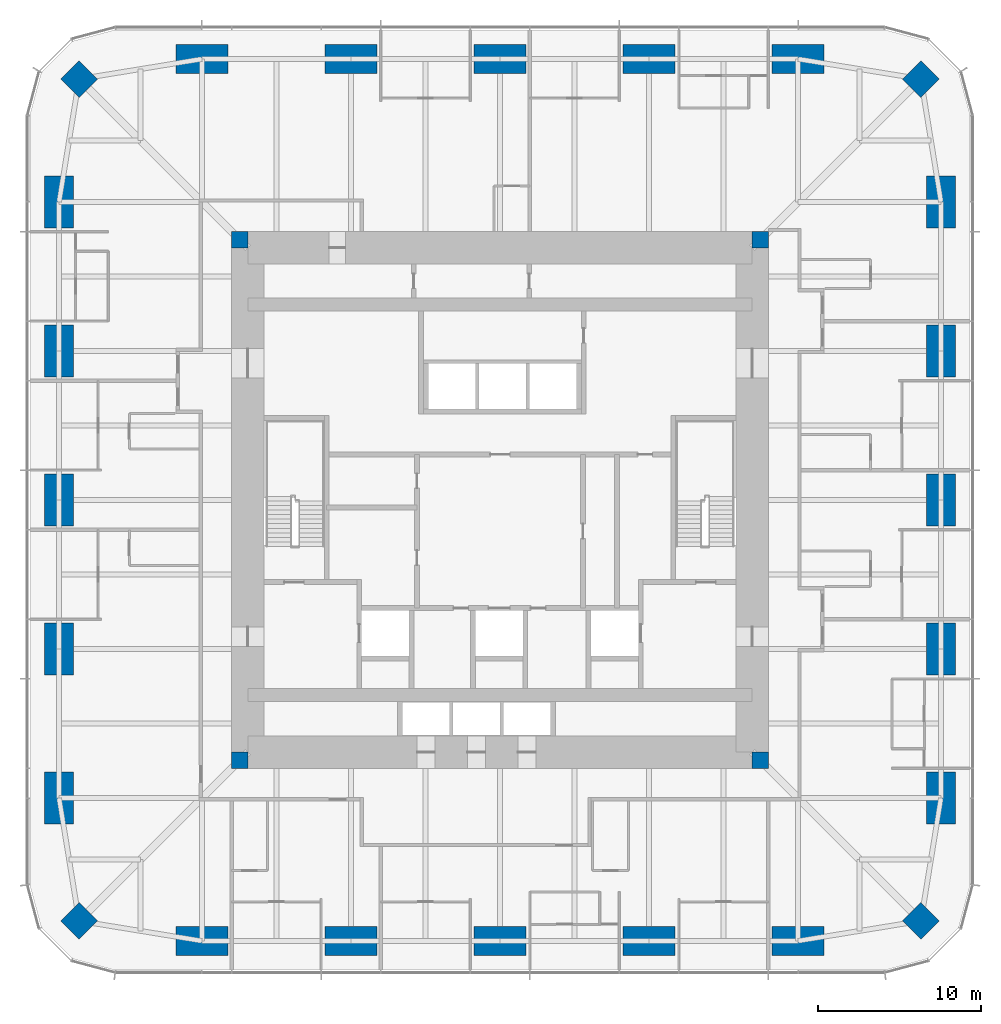
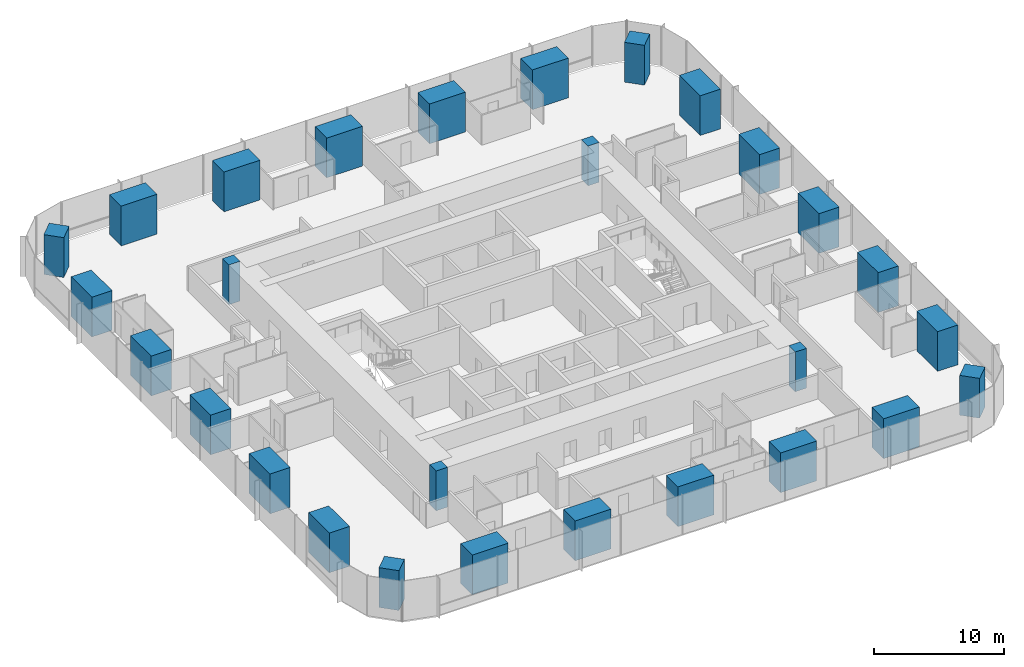
# One storey, part 1 of 13: 28 columns.
"""IFC4 building model written with IfcOpenShell, lengths in metres."""

from ifc_helpers import new_model, si_unit, direction, frame, origin, origin_2d, place, context, subcontext, project, spatial, rectangle, extrude, material, material_profile, profile_set, type_object, element, save


model = new_model("IFC4")

# Units and contexts
model_context = context("Model", 3, precision=1e-05, world=origin(), true_north=direction((0.0, 1.0)))
body_context = subcontext(model_context, "Body", "Model", "MODEL_VIEW")
ifc_project = project(units=[si_unit("LENGTHUNIT", "METRE"), si_unit("AREAUNIT", "SQUARE_METRE"), si_unit("VOLUMEUNIT", "CUBIC_METRE"), si_unit("PLANEANGLEUNIT", "RADIAN"), si_unit("MASSUNIT", "GRAM", prefix="KILO")], contexts=[model_context])

# Site, building, storey
site_placement = place(None, origin())
site = spatial("IfcSite", under=ifc_project, at=site_placement, CompositionType="ELEMENT")
building_placement = place(site_placement, origin())
building = spatial("IfcBuilding", under=site, at=building_placement, Name="Khuree Lantern Residences", CompositionType="ELEMENT")
storey_placement = place(building_placement, frame((0.0, 0.0, 133.5)))
storey = spatial("IfcBuildingStorey", under=building, at=storey_placement, Name="L33", CompositionType="ELEMENT", Elevation=133.5)

# Columns
ifc_material = material(Name="Concrete C70/85", Category="concrete")
ifc_material_profile_1 = material_profile(ifc_material, rectangle(XDim=1.60009765625, YDim=1.60009765625, at=origin_2d()), Name="RC 1600X1600")
ifc_profile_set_1 = profile_set([ifc_material_profile_1], Name="Concrete C70/85")
column_type_1 = type_object("IfcColumnType", Name="CC1600A PERIMETER CORNER COLUMN RC 1600X1600", PredefinedType="COLUMN", material=ifc_profile_set_1)
for number, where, z_axis, x_axis, name in (
    (1, (25.869873046875, 25.869873046875, 0.0), (0.0, 0.0, 1.0), (0.707106781187, -0.707106781187, 0.0), "Perimeter column NE"),
    (2, (25.869873046875, -25.869873046875, 0.0), (0.0, 0.0, 1.0), (0.707106781187, 0.707106781187, 0.0), "Perimeter column SE"),
    (3, (-25.869873046875, -25.869873046875, 0.0), (0.0, 0.0, 1.0), (0.707106781187, -0.707106781187, 0.0), "Perimeter column SW"),
    (4, (-25.869873046875, 25.869873046875, 0.0), (0.0, 0.0, 1.0), (0.707106781187, 0.707106781187, 0.0), "Perimeter column NW"),
):
    element("IfcColumn", number, at=place(storey_placement, frame(where, z_axis=z_axis, x_axis=x_axis)), inside=storey, type_object=column_type_1, Name=name, PredefinedType="COLUMN", context=body_context, shape_type="SweptSolid", body=[
        extrude(rectangle(XDim=1.60009765625, YDim=1.60009765625, at=origin_2d()), origin(), (0.0, 0.0, 1.0), 3.75),
    ])
ifc_material_profile_2 = material_profile(ifc_material, rectangle(XDim=1.0, YDim=1.0, at=origin_2d()), Name="RC 1000X1000")
ifc_profile_set_2 = profile_set([ifc_material_profile_2], Name="Concrete C70/85")
column_type_2 = type_object("IfcColumnType", Name="CP1000-C70 CORE CORNER PIER C70 RC 1000X1000", PredefinedType="COLUMN", material=ifc_profile_set_2)
for number, where, z_axis, x_axis, name in (
    (5, (16.0, 16.0, -0.25), (0.0, 0.0, 1.0), (1.0, 0.0, 0.0), "Core corner pier NE"),
    (6, (-16.0, 16.0, -0.25), (0.0, 0.0, 1.0), (1.0, 0.0, 0.0), "Core corner pier NW"),
    (7, (-16.0, -16.0, -0.25), (0.0, 0.0, 1.0), (1.0, 0.0, 0.0), "Core corner pier SW"),
    (8, (16.0, -16.0, -0.25), (0.0, 0.0, 1.0), (1.0, 0.0, 0.0), "Core corner pier SE"),
):
    element("IfcColumn", number, at=place(storey_placement, frame(where, z_axis=z_axis, x_axis=x_axis)), inside=storey, type_object=column_type_2, Name=name, PredefinedType="COLUMN", context=body_context, shape_type="SweptSolid", body=[
        extrude(rectangle(XDim=1.0, YDim=1.0, at=origin_2d()), origin(), (0.0, 0.0, 1.0), 3.75),
    ])
ifc_material_profile_3 = material_profile(ifc_material, rectangle(XDim=3.199951171875, YDim=1.800048828125, at=origin_2d()), Name="RC 3200X1800")
ifc_profile_set_3 = profile_set([ifc_material_profile_3], Name="Concrete C70/85")
column_type_3 = type_object("IfcColumnType", Name="PC1 PERIMETER COLUMN RC 3200X1800", PredefinedType="COLUMN", material=ifc_profile_set_3)
for number, where, z_axis, x_axis, name in (
    (9, (-18.320068359375, 27.10009765625, 0.0), (0.0, 0.0, 1.0), (1.0, 0.0, 0.0), "Perimeter column N1"),
    (10, (-9.159912109375, 27.10009765625, 0.0), (0.0, 0.0, 1.0), (1.0, 0.0, 0.0), "Perimeter column N2"),
    (11, (0.0, 27.10009765625, 0.0), (0.0, 0.0, 1.0), (1.0, 0.0, 0.0), "Perimeter column N3"),
    (12, (9.159912109375, 27.10009765625, 0.0), (0.0, 0.0, 1.0), (1.0, 0.0, 0.0), "Perimeter column N4"),
    (13, (18.320068359375, 27.10009765625, 0.0), (0.0, 0.0, 1.0), (1.0, 0.0, 0.0), "Perimeter column N5"),
    (14, (27.10009765625, 18.320068359375, 0.0), (0.0, 0.0, 1.0), (0.0, 1.0, 0.0), "Perimeter column E1"),
    (15, (27.10009765625, 9.159912109375, 0.0), (0.0, 0.0, 1.0), (0.0, 1.0, 0.0), "Perimeter column E2"),
    (16, (27.10009765625, 0.0, 0.0), (0.0, 0.0, 1.0), (0.0, 1.0, 0.0), "Perimeter column E3"),
    (17, (27.10009765625, -9.159912109375, 0.0), (0.0, 0.0, 1.0), (0.0, 1.0, 0.0), "Perimeter column E4"),
    (18, (27.10009765625, -18.320068359375, 0.0), (0.0, 0.0, 1.0), (0.0, 1.0, 0.0), "Perimeter column E5"),
    (19, (18.320068359375, -27.10009765625, 0.0), (0.0, 0.0, 1.0), (1.0, 0.0, 0.0), "Perimeter column S1"),
    (20, (9.159912109375, -27.10009765625, 0.0), (0.0, 0.0, 1.0), (1.0, 0.0, 0.0), "Perimeter column S2"),
    (21, (0.0, -27.10009765625, 0.0), (0.0, 0.0, 1.0), (1.0, 0.0, 0.0), "Perimeter column S3"),
    (22, (-9.159912109375, -27.10009765625, 0.0), (0.0, 0.0, 1.0), (1.0, 0.0, 0.0), "Perimeter column S4"),
    (23, (-18.320068359375, -27.10009765625, 0.0), (0.0, 0.0, 1.0), (1.0, 0.0, 0.0), "Perimeter column S5"),
    (24, (-27.10009765625, -18.320068359375, 0.0), (0.0, 0.0, 1.0), (0.0, 1.0, 0.0), "Perimeter column W1"),
    (25, (-27.10009765625, -9.159912109375, 0.0), (0.0, 0.0, 1.0), (0.0, 1.0, 0.0), "Perimeter column W2"),
    (26, (-27.10009765625, 0.0, 0.0), (0.0, 0.0, 1.0), (0.0, 1.0, 0.0), "Perimeter column W3"),
    (27, (-27.10009765625, 9.159912109375, 0.0), (0.0, 0.0, 1.0), (0.0, 1.0, 0.0), "Perimeter column W4"),
    (28, (-27.10009765625, 18.320068359375, 0.0), (0.0, 0.0, 1.0), (0.0, 1.0, 0.0), "Perimeter column W5"),
):
    element("IfcColumn", number, at=place(storey_placement, frame(where, z_axis=z_axis, x_axis=x_axis)), inside=storey, type_object=column_type_3, Name=name, PredefinedType="COLUMN", context=body_context, shape_type="SweptSolid", body=[
        extrude(rectangle(XDim=3.199951171875, YDim=1.800048828125, at=origin_2d()), origin(), (0.0, 0.0, 1.0), 3.75),
    ])

save(model, "model.ifc")
